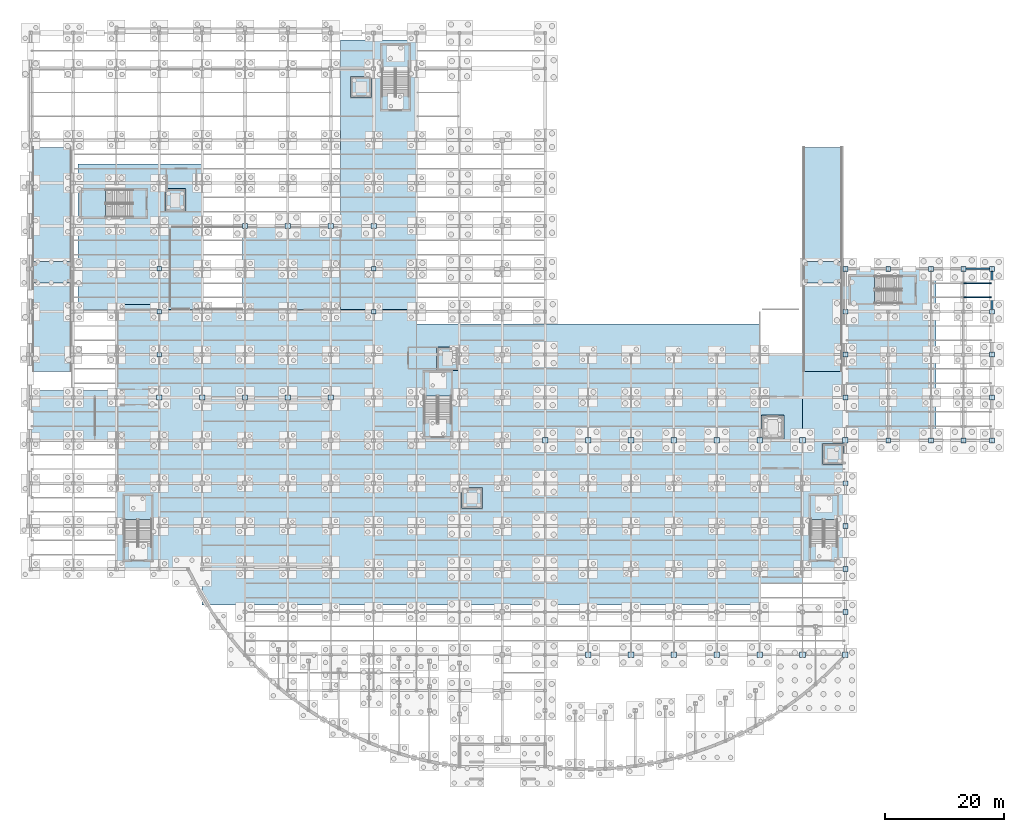
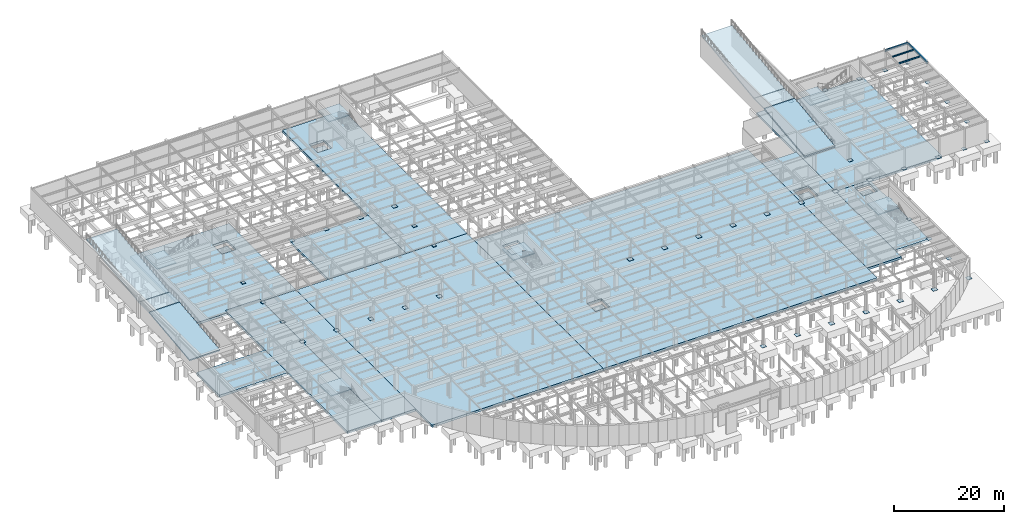
# One storey, part 41 of 64: 48 plates, 29 slabs, 4 beams, 6 elements without a shape of their own.
"""IFC4 building model written with IfcOpenShell, lengths in metres."""

import ifcopenshell
import ifcopenshell.guid

model = None  # the IFC model being written
_history = None  # IfcOwnerHistory: only IFC2X3 demands one
_inside = {}  # id of a spatial element -> (the spatial element, [elements in it])
_under = {}  # id of a project, library or spatial element -> (it, [spatial elements below it])
_declared = {}  # id of a project -> (the project, [libraries it declares])
_typed = {}  # id of a type object -> (the type object, [elements of that type])
_made_of = {}  # id of a material, layer set ... -> (it, [elements and type objects made of it])


def new_model(schema):
    """Start an empty IFC model of exactly this schema.

    Asked for "IFC4X3", IfcOpenShell would pick the latest addendum, in which some entities
    have other attributes; the version numbers below select the first issue.
    IFC2X3 requires an IfcOwnerHistory on every rooted entity: one is made here for all.
    """
    global model, _history
    if schema == "IFC4X3":
        model = ifcopenshell.file(schema_version=(4, 3, 0, 0))
    else:
        model = ifcopenshell.file(schema=schema)
    _inside.clear()
    _under.clear()
    _declared.clear()
    _typed.clear()
    _made_of.clear()
    _history = None
    if model.schema == "IFC2X3":
        org = make("IfcOrganization", Name="unknown")
        user = make(
            "IfcPersonAndOrganization",
            ThePerson=make("IfcPerson", FamilyName="unknown"),
            TheOrganization=org,
        )
        app = make(
            "IfcApplication",
            ApplicationDeveloper=org,
            Version="unknown",
            ApplicationFullName="unknown",
            ApplicationIdentifier="unknown",
        )
        _history = make(
            "IfcOwnerHistory",
            OwningUser=user,
            OwningApplication=app,
            ChangeAction="ADDED",
            CreationDate=0,
        )
    return model


def make(cls, **values):
    """One entity of the class cls with the attributes given. An attribute that is None is left unset."""
    return model.create_entity(
        cls, **{name: value for name, value in values.items() if value is not None}
    )


def rooted(cls, **values):
    """An entity with a GlobalId (a new one), such as an element, a storey or a relation."""
    return make(cls, GlobalId=ifcopenshell.guid.new(), OwnerHistory=_history, **values)


def si_unit(unit_type, name, prefix=None):
    """IfcSIUnit, for example si_unit("LENGTHUNIT", "METRE", prefix="MILLI")."""
    return make("IfcSIUnit", UnitType=unit_type, Prefix=prefix, Name=name)


def assignment(units):
    """IfcUnitAssignment: the units of a project."""
    return None if units is None else make("IfcUnitAssignment", Units=units)


def point(xyz):
    """IfcCartesianPoint."""
    return None if xyz is None else make("IfcCartesianPoint", Coordinates=xyz)


def direction(xyz):
    """IfcDirection."""
    return None if xyz is None else make("IfcDirection", DirectionRatios=xyz)


def frame(location, z_axis=None, x_axis=None):
    """IfcAxis2Placement3D, a coordinate frame: its origin and axes. An axis left out is left unset."""
    return make(
        "IfcAxis2Placement3D",
        Location=point(location),
        Axis=direction(z_axis),
        RefDirection=direction(x_axis),
    )


def frame_2d(location, x_axis=None):
    """IfcAxis2Placement2D, a coordinate frame in the plane: its origin and x axis."""
    return make(
        "IfcAxis2Placement2D", Location=point(location), RefDirection=direction(x_axis)
    )


def origin():
    """The frame at (0, 0, 0) with its axes left unset."""
    return frame((0.0, 0.0, 0.0))


def origin_2d():
    """The frame at (0, 0) in the plane with its x axis left unset."""
    return frame_2d((0.0, 0.0))


def place(relative_to, where):
    """IfcLocalPlacement: puts the frame where relative to a parent placement (None: the world)."""
    return make(
        "IfcLocalPlacement", PlacementRelTo=relative_to, RelativePlacement=where
    )


def context(
    kind, dimensions, precision=None, world=None, true_north=None, identifier=None
):
    """IfcGeometricRepresentationContext, for example the 3D "Model" context."""
    return make(
        "IfcGeometricRepresentationContext",
        ContextIdentifier=identifier,
        ContextType=kind,
        CoordinateSpaceDimension=dimensions,
        Precision=precision,
        WorldCoordinateSystem=world,
        TrueNorth=true_north,
    )


def subcontext(parent, identifier, kind, view, scale=None):
    """IfcGeometricRepresentationSubContext, for example "Body" below "Model"."""
    return make(
        "IfcGeometricRepresentationSubContext",
        ContextIdentifier=identifier,
        ContextType=kind,
        ParentContext=parent,
        TargetScale=scale,
        TargetView=view,
    )


def project(units=None, contexts=None):
    """IfcProject with its units and contexts."""
    return rooted(
        "IfcProject",
        Name="project",
        RepresentationContexts=contexts,
        UnitsInContext=assignment(units),
    )


def spatial(cls, under=None, at=None, **own):
    """A site, building, storey or space (cls), placed at a placement, below another one or the project."""
    s = rooted(cls, ObjectPlacement=at, **own)
    if under is not None:
        _under.setdefault(under.id(), (under, []))[1].append(s)
    return s


def polyline(points):
    """IfcPolyline through the points."""
    return make("IfcPolyline", Points=[point(p) for p in points])


def profile(cls, at=None, kind="AREA", **sizes):
    """A parametric profile (cls). Its sizes go by their IFC names, for example OverallWidth=200.0."""
    return make(cls, ProfileType=kind, Position=at, **sizes)


def rectangle(**sizes):
    """IfcRectangleProfileDef."""
    return profile("IfcRectangleProfileDef", **sizes)


def i_section(**sizes):
    """IfcIShapeProfileDef."""
    return profile("IfcIShapeProfileDef", **sizes)


def outline(outer, holes=None, kind="AREA"):
    """IfcArbitraryClosedProfileDef: a profile drawn as a closed curve; with holes, ...WithVoids."""
    if holes is None:
        return make("IfcArbitraryClosedProfileDef", ProfileType=kind, OuterCurve=outer)
    return make(
        "IfcArbitraryProfileDefWithVoids",
        ProfileType=kind,
        OuterCurve=outer,
        InnerCurves=holes,
    )


def extrude(swept, where, along, depth):
    """IfcExtrudedAreaSolid: the profile swept, set in the frame where, extruded along a direction by depth."""
    return make(
        "IfcExtrudedAreaSolid",
        SweptArea=swept,
        Position=where,
        ExtrudedDirection=direction(along),
        Depth=depth,
    )


def shape(context_of_items, identifier, shape_type, items):
    """IfcShapeRepresentation: the items that make up one representation, for example the "Body"."""
    return make(
        "IfcShapeRepresentation",
        ContextOfItems=context_of_items,
        RepresentationIdentifier=identifier,
        RepresentationType=shape_type,
        Items=items,
    )


def material(Name=None, Category=None):
    """IfcMaterial."""
    return make("IfcMaterial", Name=Name, Category=Category)


def layer(
    of_material, thickness, ventilated=None, Name=None, Category=None, Priority=None
):
    """IfcMaterialLayer: one layer of a wall or slab, of a material (None: an air gap)."""
    return make(
        "IfcMaterialLayer",
        Material=of_material,
        LayerThickness=thickness,
        IsVentilated=ventilated,
        Name=Name,
        Category=Category,
        Priority=Priority,
    )


def layer_set(layers, Name=None):
    """IfcMaterialLayerSet."""
    return make("IfcMaterialLayerSet", MaterialLayers=layers, LayerSetName=Name)


def material_profile(
    of_material, cross_section, Name=None, Category=None, Priority=None
):
    """IfcMaterialProfile: a cross section and its material."""
    return make(
        "IfcMaterialProfile",
        Name=Name,
        Material=of_material,
        Profile=cross_section,
        Priority=Priority,
        Category=Category,
    )


def profile_set(profiles, Name=None, composite=None):
    """IfcMaterialProfileSet."""
    return make(
        "IfcMaterialProfileSet",
        Name=Name,
        MaterialProfiles=profiles,
        CompositeProfile=composite,
    )


def made_of(thing, what):
    """Note that an element or type object is made of a material, layer set ...; save() writes the relation."""
    if what is not None:
        _made_of.setdefault(what.id(), (what, []))[1].append(thing)
    return thing


def type_object(cls, material=None, **own):
    """A type object (cls), such as IfcWallType, which elements share."""
    return made_of(rooted(cls, **own), material)


def element(
    cls,
    number,
    at=None,
    inside=None,
    cuts=None,
    type_object=None,
    material=None,
    context=None,
    identifier="Body",
    shape_type=None,
    held_by="IfcProductDefinitionShape",
    body=None,
    shapes=None,
    **own,
):
    """One element of the class cls, such as IfcWall. Its Tag is "e" and its number.

    at: its placement. inside: the storey or other place that contains it. cuts: it is an
    opening in that element (IfcRelVoidsElement). A single representation is given by context,
    identifier, shape_type and body (its items); several are given by shapes. held_by: the class
    of the entity that holds the representations. save() writes the other relations.
    """
    e = rooted(cls, Tag="e%d" % number, ObjectPlacement=at, **own)
    if body is not None:
        shapes = [shape(context, identifier, shape_type, body)]
    if shapes is not None:
        e.Representation = make(held_by, Representations=shapes)
    if inside is not None:
        _inside.setdefault(inside.id(), (inside, []))[1].append(e)
    if cuts is not None:
        rooted(
            "IfcRelVoidsElement", RelatingBuildingElement=cuts, RelatedOpeningElement=e
        )
    if type_object is not None:
        _typed.setdefault(type_object.id(), (type_object, []))[1].append(e)
    return made_of(e, material)


def aggregate(whole, parts):
    """IfcRelAggregates: a whole, such as a stair, and the parts it consists of."""
    return rooted("IfcRelAggregates", RelatingObject=whole, RelatedObjects=parts)


def save(model, path):
    """Write the relations noted so far, then the file.

    IfcRelAggregates (storeys below a building ...), IfcRelContainedInSpatialStructure (elements
    in a storey), IfcRelDefinesByType, IfcRelAssociatesMaterial and IfcRelDeclares: one each for
    every whole, place, type object, material and project.
    """
    for whole, parts in _under.values():
        aggregate(whole, parts)
    for where, things in _inside.values():
        rooted(
            "IfcRelContainedInSpatialStructure",
            RelatedElements=things,
            RelatingStructure=where,
        )
    for kind, things in _typed.values():
        rooted("IfcRelDefinesByType", RelatedObjects=things, RelatingType=kind)
    for what, things in _made_of.values():
        rooted("IfcRelAssociatesMaterial", RelatedObjects=things, RelatingMaterial=what)
    for by, libraries in _declared.values():
        rooted("IfcRelDeclares", RelatingContext=by, RelatedDefinitions=libraries)
    model.write(path)


model = new_model("IFC4")

# Units and contexts
model_context = context("Model", 3, precision=1e-05, world=origin(), true_north=direction((0.0, 1.0)))
body_context = subcontext(model_context, "Body", "Model", "MODEL_VIEW")
ifc_project = project(units=[si_unit("LENGTHUNIT", "METRE"), si_unit("AREAUNIT", "SQUARE_METRE"), si_unit("VOLUMEUNIT", "CUBIC_METRE"), si_unit("PLANEANGLEUNIT", "RADIAN"), si_unit("MASSUNIT", "GRAM", prefix="KILO")], contexts=[model_context])

# Site, building, storey
site_placement = place(None, origin())
site = spatial("IfcSite", under=ifc_project, at=site_placement, CompositionType="ELEMENT")
building_placement = place(site_placement, origin())
building = spatial("IfcBuilding", under=site, at=building_placement, Name="Solvadek Multi-Sports Hall", CompositionType="ELEMENT")
storey_placement = place(building_placement, frame((0.0, 0.0, -4.800048828125)))
storey = spatial("IfcBuildingStorey", under=building, at=storey_placement, Name="B1", CompositionType="ELEMENT", Elevation=-4.800048828125)

# Beams
ifc_material_1 = material(Name="Steel E350 (350 MPa)", Category="steel")
ifc_material_profile_1 = material_profile(ifc_material_1, i_section(OverallWidth=0.159912109375, OverallDepth=0.330078125, WebThickness=0.007568359375, FlangeThickness=0.011474609375, at=origin_2d()), Name="NPB 330")
ifc_profile_set_1 = profile_set([ifc_material_profile_1], Name="Steel E350 (350 MPa)")
beam_type_1 = type_object("IfcBeamType", Name="STR-JST-NPB330", PredefinedType="JOIST", material=ifc_profile_set_1)
for number, where, z_axis, x_axis, name in (
    (1, (156.695068359375, 66.0, 4.385009765625), (1.0, 0.0, 0.0), (0.0, 1.0, 0.0), "B1 Composite Joist J-02 #277"),
    (2, (156.695068359375, 68.39990234375, 4.385009765625), (1.0, 0.0, 0.0), (0.0, 1.0, 0.0), "B1 Composite Joist J-02 #278"),
):
    element("IfcBeam", number, at=place(storey_placement, frame(where, z_axis=z_axis, x_axis=x_axis)), inside=storey, type_object=beam_type_1, Name=name, PredefinedType="JOIST", context=body_context, shape_type="SweptSolid", body=[
        extrude(i_section(OverallWidth=0.159912109375, OverallDepth=0.330078125, WebThickness=0.007568359375, FlangeThickness=0.011474609375, at=origin_2d()), origin(), (0.0, 0.0, 1.0), 4.554931640625),
    ])
ifc_material_profile_2 = material_profile(ifc_material_1, i_section(OverallWidth=0.300048828125, OverallDepth=0.39990234375, WebThickness=0.013427734375, FlangeThickness=0.02392578125, at=origin_2d()), Name="WPB 400")
ifc_profile_set_2 = profile_set([ifc_material_profile_2], Name="Steel E350 (350 MPa)")
beam_type_2 = type_object("IfcBeamType", Name="STR-SPN-WPB400", PredefinedType="SPANDREL", material=ifc_profile_set_2)
beam_1_placement = place(storey_placement, frame((156.60009765625, 70.800048828125, 4.35009765625), z_axis=(1.0, 0.0, 0.0), x_axis=(0.0, 1.0, 0.0)))
element("IfcBeam", 3, at=beam_1_placement, inside=storey, type_object=beam_type_2, Name="B1 Girder SP-02 #192", PredefinedType="SPANDREL", context=body_context, shape_type="SweptSolid", body=[
    extrude(i_section(OverallWidth=0.300048828125, OverallDepth=0.39990234375, WebThickness=0.013427734375, FlangeThickness=0.02392578125, at=origin_2d()), origin(), (0.0, 0.0, 1.0), 4.7998046875),
])
beam_2_placement = place(storey_placement, frame((161.39990234375, 63.60009765625, 4.35009765625), z_axis=(0.0, 1.0, 0.0), x_axis=(-1.0, 0.0, 0.0)))
element("IfcBeam", 4, at=beam_2_placement, inside=storey, type_object=beam_type_2, Name="B1 Girder SP-02 #522", PredefinedType="SPANDREL", context=body_context, shape_type="SweptSolid", body=[
    extrude(i_section(OverallWidth=0.300048828125, OverallDepth=0.39990234375, WebThickness=0.013427734375, FlangeThickness=0.02392578125, at=origin_2d()), origin(), (0.0, 0.0, 1.0), 7.199951171875),
])

# Stair, slab
ifc_material_2 = material(Name="Concrete M35", Category="concrete")
stair_type = type_object("IfcStairType", Name="INT-STR-DOG220", PredefinedType="USERDEFINED", material=ifc_material_2)
stair_1_placement = place(storey_placement, origin())
stair_1 = element("IfcStair", 5, at=stair_1_placement, inside=storey, type_object=stair_type, Name="B1 Exit Stair Core ST-01 (SW Crescent)", ObjectType="TWO_RUN_STAIR", PredefinedType="USERDEFINED")
ifc_layer_1 = layer(ifc_material_2, 0.199951171875, Name="Concrete M35")
ifc_layer_set_1 = layer_set([ifc_layer_1], Name="Concrete M35")
slab_type_1 = type_object("IfcSlabType", Name="INT-LND-RC200", PredefinedType="LANDING", material=ifc_layer_set_1)
slab_1_placement = place(storey_placement, frame((0.0, 0.0, 2.199951171875)))
slab_1 = element("IfcSlab", 6, at=slab_1_placement, type_object=slab_type_1, Name="ST-01 landing 1", PredefinedType="LANDING", context=body_context, shape_type="SweptSolid", body=[
    extrude(outline(polyline([(20.300048828125, 28.75), (20.300048828125, 32.800048828125), (15.75, 32.800048828125), (15.75, 28.75), (20.300048828125, 28.75)])), origin(), (0.0, 0.0, 1.0), 0.2001953125),
])
aggregate(stair_1, [slab_1])

stair_2_placement = place(storey_placement, origin())
stair_2 = element("IfcStair", 7, at=stair_2_placement, inside=storey, type_object=stair_type, Name="B1 Exit Stair Core ST-02 (NW Track Headhouse)", ObjectType="TWO_RUN_STAIR", PredefinedType="USERDEFINED")
slab_2_placement = place(storey_placement, frame((0.0, 0.0, 2.199951171875)))
slab_2 = element("IfcSlab", 8, at=slab_2_placement, type_object=slab_type_1, Name="ST-02 landing 1", PredefinedType="LANDING", context=body_context, shape_type="SweptSolid", body=[
    extrude(outline(polyline([(12.550048828125, 84.050048828125), (8.5, 84.050048828125), (8.5, 79.5), (12.550048828125, 79.5), (12.550048828125, 84.050048828125)])), origin(), (0.0, 0.0, 1.0), 0.2001953125),
])
aggregate(stair_2, [slab_2])

stair_3_placement = place(storey_placement, origin())
stair_3 = element("IfcStair", 9, at=stair_3_placement, inside=storey, type_object=stair_type, Name="B1 Exit Stair Core ST-03 (North Avenue Podium)", ObjectType="TWO_RUN_STAIR", PredefinedType="USERDEFINED")
slab_3_placement = place(storey_placement, frame((0.0, 0.0, 2.199951171875)))
slab_3 = element("IfcSlab", 10, at=slab_3_placement, type_object=slab_type_1, Name="ST-03 landing 1", PredefinedType="LANDING", context=body_context, shape_type="SweptSolid", body=[
    extrude(outline(polyline([(63.550048828125, 104.35009765625), (63.550048828125, 108.39990234375), (59.0, 108.39990234375), (59.0, 104.35009765625), (63.550048828125, 104.35009765625)])), origin(), (0.0, 0.0, 1.0), 0.2001953125),
])
aggregate(stair_3, [slab_3])

stair_4_placement = place(storey_placement, origin())
stair_4 = element("IfcStair", 11, at=stair_4_placement, inside=storey, type_object=stair_type, Name="B1 Exit Stair Core ST-04 (Central Passage West)", ObjectType="TWO_RUN_STAIR", PredefinedType="USERDEFINED")
slab_4_placement = place(storey_placement, frame((0.0, 0.0, 2.199951171875)))
slab_4 = element("IfcSlab", 12, at=slab_4_placement, type_object=slab_type_1, Name="ST-04 landing 1", PredefinedType="LANDING", context=body_context, shape_type="SweptSolid", body=[
    extrude(outline(polyline([(70.64990234375, 49.449951171875), (70.64990234375, 53.5), (66.10009765625, 53.5), (66.10009765625, 49.449951171875), (70.64990234375, 49.449951171875)])), origin(), (0.0, 0.0, 1.0), 0.2001953125),
])
aggregate(stair_4, [slab_4])

stair_5_placement = place(storey_placement, origin())
stair_5 = element("IfcStair", 13, at=stair_5_placement, inside=storey, type_object=stair_type, Name="B1 Exit Stair Core ST-05 (SE Competition Hall)", ObjectType="TWO_RUN_STAIR", PredefinedType="USERDEFINED")
slab_5_placement = place(storey_placement, frame((0.0, 0.0, 2.199951171875)))
slab_5 = element("IfcSlab", 14, at=slab_5_placement, type_object=slab_type_1, Name="ST-05 landing 1", PredefinedType="LANDING", context=body_context, shape_type="SweptSolid", body=[
    extrude(outline(polyline([(135.449951171875, 28.75), (135.449951171875, 32.800048828125), (130.89990234375, 32.800048828125), (130.89990234375, 28.75), (135.449951171875, 28.75)])), origin(), (0.0, 0.0, 1.0), 0.2001953125),
])
aggregate(stair_5, [slab_5])

stair_6_placement = place(storey_placement, origin())
stair_6 = element("IfcStair", 15, at=stair_6_placement, inside=storey, type_object=stair_type, Name="B1 Exit Stair Core ST-06 (NE Climbing Pavilion)", ObjectType="TWO_RUN_STAIR", PredefinedType="USERDEFINED")
slab_6_placement = place(storey_placement, frame((0.0, 0.0, 2.199951171875)))
slab_6 = element("IfcSlab", 16, at=slab_6_placement, type_object=slab_type_1, Name="ST-06 landing 1", PredefinedType="LANDING", context=body_context, shape_type="SweptSolid", body=[
    extrude(outline(polyline([(141.64990234375, 69.550048828125), (137.60009765625, 69.550048828125), (137.60009765625, 65.0), (141.64990234375, 65.0), (141.64990234375, 69.550048828125)])), origin(), (0.0, 0.0, 1.0), 0.2001953125),
])
aggregate(stair_6, [slab_6])

# Plates
ifc_layer_2 = layer(ifc_material_1, 0.028076171875, Name="Steel E350 (350 MPa)")
ifc_layer_set_2 = layer_set([ifc_layer_2], Name="Steel E350 (350 MPa)")
plate_type_1 = type_object("IfcPlateType", Name="STR-PLT-BAS750", PredefinedType="USERDEFINED", material=ifc_layer_set_2)
for number, where, z_axis, x_axis, name in (
    (17, (21.60009765625, 56.39990234375, 0.0), (0.0, 0.0, 1.0), (1.0, 0.0, 0.0), "Column Base Plate #45"),
    (18, (21.60009765625, 63.60009765625, 0.0), (0.0, 0.0, 1.0), (1.0, 0.0, 0.0), "Column Base Plate #46"),
    (19, (21.60009765625, 70.800048828125, 0.0), (0.0, 0.0, 1.0), (1.0, 0.0, 0.0), "Column Base Plate #47"),
    (20, (57.60009765625, 63.60009765625, 0.0), (0.0, 0.0, 1.0), (1.0, 0.0, 0.0), "Column Base Plate #110"),
    (21, (57.60009765625, 70.800048828125, 0.0), (0.0, 0.0, 1.0), (1.0, 0.0, 0.0), "Column Base Plate #111"),
):
    element("IfcPlate", number, at=place(storey_placement, frame(where, z_axis=z_axis, x_axis=x_axis)), inside=storey, type_object=plate_type_1, Name=name, ObjectType="BASE_PLATE", PredefinedType="USERDEFINED", context=body_context, shape_type="SweptSolid", body=[
        extrude(rectangle(XDim=0.75, YDim=0.75, at=origin_2d()), origin(), (0.0, 0.0, 1.0), 0.028076171875),
    ])
ifc_layer_3 = layer(ifc_material_1, 0.030029296875, Name="Steel E350 (350 MPa)")
ifc_layer_set_3 = layer_set([ifc_layer_3], Name="Steel E350 (350 MPa)")
plate_type_2 = type_object("IfcPlateType", Name="STR-PLT-BAS820", PredefinedType="USERDEFINED", material=ifc_layer_set_3)
for number, where, z_axis, x_axis, name in (
    (22, (136.800048828125, 13.199951171875, 0.0), (0.0, 0.0, 1.0), (1.0, 0.0, 0.0), "Column Base Plate #230"),
    (23, (136.800048828125, 20.39990234375, 0.0), (0.0, 0.0, 1.0), (1.0, 0.0, 0.0), "Column Base Plate #231"),
    (24, (136.800048828125, 27.60009765625, 0.0), (0.0, 0.0, 1.0), (1.0, 0.0, 0.0), "Column Base Plate #232"),
    (25, (136.800048828125, 34.800048828125, 0.0), (0.0, 0.0, 1.0), (1.0, 0.0, 0.0), "Column Base Plate #233"),
    (26, (136.800048828125, 49.199951171875, 0.0), (0.0, 0.0, 1.0), (1.0, 0.0, 0.0), "Column Base Plate #235"),
    (27, (136.800048828125, 56.39990234375, 0.0), (0.0, 0.0, 1.0), (1.0, 0.0, 0.0), "Column Base Plate #236"),
    (28, (136.800048828125, 63.60009765625, 0.0), (0.0, 0.0, 1.0), (1.0, 0.0, 0.0), "Column Base Plate #237"),
    (29, (136.800048828125, 70.800048828125, 0.0), (0.0, 0.0, 1.0), (1.0, 0.0, 0.0), "Column Base Plate #238"),
    (30, (144.0, 42.0, 0.0), (0.0, 0.0, 1.0), (1.0, 0.0, 0.0), "Column Base Plate #239"),
    (31, (144.0, 70.800048828125, 0.0), (0.0, 0.0, 1.0), (1.0, 0.0, 0.0), "Column Base Plate #242"),
    (32, (151.199951171875, 42.0, 0.0), (0.0, 0.0, 1.0), (1.0, 0.0, 0.0), "Column Base Plate #243"),
    (33, (151.199951171875, 70.800048828125, 0.0), (0.0, 0.0, 1.0), (1.0, 0.0, 0.0), "Column Base Plate #246"),
    (34, (156.60009765625, 42.0, 0.0), (0.0, 0.0, 1.0), (1.0, 0.0, 0.0), "Column Base Plate #247"),
    (35, (156.60009765625, 70.800048828125, 0.0), (0.0, 0.0, 1.0), (1.0, 0.0, 0.0), "Column Base Plate #250"),
    (36, (161.39990234375, 42.0, 0.0), (0.0, 0.0, 1.0), (1.0, 0.0, 0.0), "Column Base Plate #251"),
    (37, (161.39990234375, 49.199951171875, 0.0), (0.0, 0.0, 1.0), (1.0, 0.0, 0.0), "Column Base Plate #252"),
    (38, (161.39990234375, 56.39990234375, 0.0), (0.0, 0.0, 1.0), (1.0, 0.0, 0.0), "Column Base Plate #253"),
    (39, (161.39990234375, 63.60009765625, 0.0), (0.0, 0.0, 1.0), (1.0, 0.0, 0.0), "Column Base Plate #254"),
    (40, (161.39990234375, 70.800048828125, 0.0), (0.0, 0.0, 1.0), (1.0, 0.0, 0.0), "Column Base Plate #255"),
):
    element("IfcPlate", number, at=place(storey_placement, frame(where, z_axis=z_axis, x_axis=x_axis)), inside=storey, type_object=plate_type_2, Name=name, ObjectType="BASE_PLATE", PredefinedType="USERDEFINED", context=body_context, shape_type="SweptSolid", body=[
        extrude(rectangle(XDim=0.820068359375, YDim=0.820068359375, at=origin_2d()), origin(), (0.0, 0.0, 1.0), 0.030029296875),
    ])
ifc_layer_4 = layer(ifc_material_1, 0.031982421875, Name="Steel E350 (350 MPa)")
ifc_layer_set_4 = layer_set([ifc_layer_4], Name="Steel E350 (350 MPa)")
plate_type_3 = type_object("IfcPlateType", Name="STR-PLT-BAS900", PredefinedType="USERDEFINED", material=ifc_layer_set_4)
for number, where, z_axis, x_axis, name in (
    (41, (21.60009765625, 49.199951171875, 0.0), (0.0, 0.0, 1.0), (1.0, 0.0, 0.0), "Column Base Plate #44"),
    (42, (28.800048828125, 49.199951171875, 0.0), (0.0, 0.0, 1.0), (1.0, 0.0, 0.0), "Column Base Plate #54"),
    (43, (36.0, 49.199951171875, 0.0), (0.0, 0.0, 1.0), (1.0, 0.0, 0.0), "Column Base Plate #66"),
    (44, (36.0, 78.0, 0.0), (0.0, 0.0, 1.0), (1.0, 0.0, 0.0), "Column Base Plate #70"),
    (45, (43.199951171875, 49.199951171875, 0.0), (0.0, 0.0, 1.0), (1.0, 0.0, 0.0), "Column Base Plate #79"),
    (46, (43.199951171875, 78.0, 0.0), (0.0, 0.0, 1.0), (1.0, 0.0, 0.0), "Column Base Plate #83"),
    (47, (50.39990234375, 49.199951171875, 0.0), (0.0, 0.0, 1.0), (1.0, 0.0, 0.0), "Column Base Plate #92"),
    (48, (50.39990234375, 78.0, 0.0), (0.0, 0.0, 1.0), (1.0, 0.0, 0.0), "Column Base Plate #96"),
    (49, (57.60009765625, 78.0, 0.0), (0.0, 0.0, 1.0), (1.0, 0.0, 0.0), "Column Base Plate #112"),
):
    element("IfcPlate", number, at=place(storey_placement, frame(where, z_axis=z_axis, x_axis=x_axis)), inside=storey, type_object=plate_type_3, Name=name, ObjectType="BASE_PLATE", PredefinedType="USERDEFINED", context=body_context, shape_type="SweptSolid", body=[
        extrude(rectangle(XDim=0.89990234375, YDim=0.89990234375, at=origin_2d()), origin(), (0.0, 0.0, 1.0), 0.031982421875),
    ])
ifc_layer_5 = layer(ifc_material_1, 0.031982421875, Name="Steel E350 (350 MPa)")
ifc_layer_set_5 = layer_set([ifc_layer_5], Name="Steel E350 (350 MPa)")
plate_type_4 = type_object("IfcPlateType", Name="STR-PLT-BAS950", PredefinedType="USERDEFINED", material=ifc_layer_set_5)
for number, where, z_axis, x_axis, name in (
    (50, (86.39990234375, 42.0, 0.0), (0.0, 0.0, 1.0), (1.0, 0.0, 0.0), "Column Base Plate #172"),
    (51, (93.60009765625, 6.0, 0.0), (0.0, 0.0, 1.0), (1.0, 0.0, 0.0), "Column Base Plate #191"),
    (52, (93.60009765625, 42.0, 0.0), (0.0, 0.0, 1.0), (1.0, 0.0, 0.0), "Column Base Plate #196"),
    (53, (100.800048828125, 6.0, 0.0), (0.0, 0.0, 1.0), (1.0, 0.0, 0.0), "Column Base Plate #199"),
    (54, (100.800048828125, 42.0, 0.0), (0.0, 0.0, 1.0), (1.0, 0.0, 0.0), "Column Base Plate #202"),
    (55, (108.0, 6.0, 0.0), (0.0, 0.0, 1.0), (1.0, 0.0, 0.0), "Column Base Plate #205"),
    (56, (108.0, 42.0, 0.0), (0.0, 0.0, 1.0), (1.0, 0.0, 0.0), "Column Base Plate #208"),
    (57, (115.199951171875, 6.0, 0.0), (0.0, 0.0, 1.0), (1.0, 0.0, 0.0), "Column Base Plate #211"),
    (58, (115.199951171875, 42.0, 0.0), (0.0, 0.0, 1.0), (1.0, 0.0, 0.0), "Column Base Plate #214"),
    (59, (122.39990234375, 6.0, 0.0), (0.0, 0.0, 1.0), (1.0, 0.0, 0.0), "Column Base Plate #217"),
    (60, (122.39990234375, 42.0, 0.0), (0.0, 0.0, 1.0), (1.0, 0.0, 0.0), "Column Base Plate #220"),
    (61, (129.60009765625, 6.0, 0.0), (0.0, 0.0, 1.0), (1.0, 0.0, 0.0), "Column Base Plate #223"),
    (62, (129.60009765625, 42.0, 0.0), (0.0, 0.0, 1.0), (1.0, 0.0, 0.0), "Column Base Plate #228"),
    (63, (136.800048828125, 6.0, 0.0), (0.0, 0.0, 1.0), (1.0, 0.0, 0.0), "Column Base Plate #229"),
    (64, (136.800048828125, 42.0, 0.0), (0.0, 0.0, 1.0), (1.0, 0.0, 0.0), "Column Base Plate #234"),
):
    element("IfcPlate", number, at=place(storey_placement, frame(where, z_axis=z_axis, x_axis=x_axis)), inside=storey, type_object=plate_type_4, Name=name, ObjectType="BASE_PLATE", PredefinedType="USERDEFINED", context=body_context, shape_type="SweptSolid", body=[
        extrude(rectangle(XDim=0.949951171875, YDim=0.949951171875, at=origin_2d()), origin(), (0.0, 0.0, 1.0), 0.031982421875),
    ])

# Slabs
ifc_layer_6 = layer(ifc_material_2, 0.219970703125, Name="Concrete M35")
ifc_layer_set_6 = layer_set([ifc_layer_6], Name="Concrete M35")
slab_type_2 = type_object("IfcSlabType", Name="STR-SLB-APP220", PredefinedType="USERDEFINED", material=ifc_layer_set_6)
slab_7_placement = place(storey_placement, frame((0.0, 0.0, 2.1201171875)))
element("IfcSlab", 65, at=slab_7_placement, inside=storey, type_object=slab_type_2, Name="West Car Park Vehicle Ramp VR-01 Structural Mid Landing Slab", ObjectType="APPROACH_SLAB", PredefinedType="USERDEFINED", context=body_context, shape_type="SweptSolid", body=[
    extrude(outline(polyline([(0.39990234375, 68.39990234375), (6.800048828125, 68.39990234375), (6.800048828125, 72.0), (0.39990234375, 72.0), (0.39990234375, 68.39990234375)])), origin(), (0.0, 0.0, 1.0), 0.280029296875),
])
slab_8_placement = place(storey_placement, frame((0.39990234375, 53.60009765625, 0.699951171875), z_axis=(0.0, -0.114509270049, 0.993422179676), x_axis=(1.0, 0.0, 0.0)))
element("IfcSlab", 66, at=slab_8_placement, inside=storey, type_object=slab_type_2, Name="West Car Park Vehicle Ramp VR-01 Structural Ramp Slab F1", ObjectType="APPROACH_SLAB", PredefinedType="USERDEFINED", context=body_context, shape_type="SweptSolid", body=[
    extrude(outline(polyline([(0.0, 0.0), (6.400146484375, 0.0), (6.400146484375, 14.847665274400786), (0.0, 14.847665274400786), (0.0, 0.0)])), origin(), (0.0, 0.0, -1.0), 0.280029296875),
])
slab_9_placement = place(storey_placement, frame((0.39990234375, 72.050048828125, 2.400146484375), z_axis=(0.0, -0.124670010135, 0.992198260719), x_axis=(1.0, 0.0, 0.0)))
element("IfcSlab", 67, at=slab_9_placement, inside=storey, type_object=slab_type_2, Name="West Car Park Vehicle Ramp VR-01 Structural Ramp Slab F2", ObjectType="APPROACH_SLAB", PredefinedType="USERDEFINED", context=body_context, shape_type="SweptSolid", body=[
    extrude(outline(polyline([(0.0, 0.0), (6.400146484375, 0.0), (6.400146484375, 19.250037287700753), (0.0, 19.250037287700753), (0.0, 0.0)])), origin(), (0.0, 0.0, -1.0), 0.280029296875),
])
slab_10_placement = place(storey_placement, frame((0.0, 0.0, 2.1201171875)))
element("IfcSlab", 68, at=slab_10_placement, inside=storey, type_object=slab_type_2, Name="East Car Park Vehicle Ramp VR-02 Structural Mid Landing Slab", ObjectType="APPROACH_SLAB", PredefinedType="USERDEFINED", context=body_context, shape_type="SweptSolid", body=[
    extrude(outline(polyline([(129.800048828125, 68.39990234375), (136.199951171875, 68.39990234375), (136.199951171875, 72.0), (129.800048828125, 72.0), (129.800048828125, 68.39990234375)])), origin(), (0.0, 0.0, 1.0), 0.280029296875),
])
slab_11_placement = place(storey_placement, frame((129.800048828125, 53.60009765625, 0.699951171875), z_axis=(0.0, -0.114509270049, 0.993422179676), x_axis=(1.0, 0.0, 0.0)))
element("IfcSlab", 69, at=slab_11_placement, inside=storey, type_object=slab_type_2, Name="East Car Park Vehicle Ramp VR-02 Structural Ramp Slab F1", ObjectType="APPROACH_SLAB", PredefinedType="USERDEFINED", context=body_context, shape_type="SweptSolid", body=[
    extrude(outline(polyline([(0.0, 0.0), (6.39990234375, 0.0), (6.39990234375, 14.847665274400788), (0.0, 14.847665274400788), (0.0, 0.0)])), origin(), (0.0, 0.0, -1.0), 0.280029296875),
])
slab_12_placement = place(storey_placement, frame((129.800048828125, 72.050048828125, 2.400146484375), z_axis=(0.0, -0.124670010135, 0.992198260719), x_axis=(1.0, 0.0, 0.0)))
element("IfcSlab", 70, at=slab_12_placement, inside=storey, type_object=slab_type_2, Name="East Car Park Vehicle Ramp VR-02 Structural Ramp Slab F2", ObjectType="APPROACH_SLAB", PredefinedType="USERDEFINED", context=body_context, shape_type="SweptSolid", body=[
    extrude(outline(polyline([(0.0, 0.0), (6.39990234375, 0.0), (6.39990234375, 19.250037287700756), (0.0, 19.250037287700756), (0.0, 0.0)])), origin(), (0.0, 0.0, -1.0), 0.280029296875),
])
ifc_layer_7 = layer(ifc_material_2, 0.5, Name="Concrete M35")
ifc_layer_set_7 = layer_set([ifc_layer_7], Name="Concrete M35")
slab_type_3 = type_object("IfcSlabType", Name="STR-SLB-BASE500", PredefinedType="BASESLAB", material=ifc_layer_set_7)
slab_13_placement = place(storey_placement, frame((0.0, 0.0, -0.5)))
element("IfcSlab", 71, at=slab_13_placement, inside=storey, type_object=slab_type_3, Name="B1 Basement Base Slab #1", PredefinedType="BASESLAB", context=body_context, shape_type="SweptSolid", body=[
    extrude(outline(polyline([(14.39990234375, 20.39990234375), (14.39990234375, 64.800048828125), (21.60009765625, 64.800048828125), (21.60009765625, 20.39990234375), (14.39990234375, 20.39990234375)])), origin(), (0.0, 0.0, 1.0), 0.5),
])
slab_14_placement = place(storey_placement, frame((0.0, 0.0, -0.5)))
element("IfcSlab", 72, at=slab_14_placement, inside=storey, type_object=slab_type_3, Name="B1 Basement Base Slab #2", PredefinedType="BASESLAB", context=body_context, shape_type="SweptSolid", body=[
    extrude(outline(polyline([(21.60009765625, 64.0), (28.800048828125, 64.0), (28.800048828125, 20.39990234375), (21.60009765625, 20.39990234375), (21.60009765625, 64.0)])), origin(), (0.0, 0.0, 1.0), 0.5),
])
slab_15_placement = place(storey_placement, frame((0.0, 0.0, -0.5)))
element("IfcSlab", 73, at=slab_15_placement, inside=storey, type_object=slab_type_3, Name="B1 Basement Base Slab #3", PredefinedType="BASESLAB", context=body_context, shape_type="SweptSolid", body=[
    extrude(outline(polyline([(28.800048828125, 20.39990234375), (28.800048828125, 64.0), (64.800048828125, 64.0), (64.800048828125, 14.39990234375), (28.800048828125, 14.39990234375), (28.800048828125, 20.39990234375)])), origin(), (0.0, 0.0, 1.0), 0.5),
])
slab_16_placement = place(storey_placement, frame((0.0, 0.0, -0.5)))
element("IfcSlab", 74, at=slab_16_placement, inside=storey, type_object=slab_type_3, Name="B1 Basement Base Slab #4", PredefinedType="BASESLAB", context=body_context, shape_type="SweptSolid", body=[
    extrude(outline(polyline([(64.800048828125, 61.5), (122.39990234375, 61.5), (122.39990234375, 14.39990234375), (64.800048828125, 14.39990234375), (64.800048828125, 61.5)]), holes=[polyline([(75.60009765625, 30.800048828125), (75.60009765625, 33.800048828125), (72.60009765625, 33.800048828125), (72.60009765625, 30.800048828125), (75.60009765625, 30.800048828125)]), polyline([(71.60009765625, 54.0), (71.60009765625, 57.39990234375), (68.39990234375, 57.39990234375), (68.39990234375, 54.0), (71.60009765625, 54.0)])]), origin(), (0.0, 0.0, 1.0), 0.5),
])
slab_17_placement = place(storey_placement, frame((0.0, 0.0, -0.5)))
element("IfcSlab", 75, at=slab_17_placement, inside=storey, type_object=slab_type_3, Name="B1 Basement Base Slab #5", PredefinedType="BASESLAB", context=body_context, shape_type="SweptSolid", body=[
    extrude(outline(polyline([(122.39990234375, 56.39990234375), (129.60009765625, 56.39990234375), (129.60009765625, 18.0), (122.39990234375, 18.0), (122.39990234375, 56.39990234375)]), holes=[polyline([(126.199951171875, 42.39990234375), (126.199951171875, 46.0), (123.0, 46.0), (123.0, 42.39990234375), (126.199951171875, 42.39990234375)])]), origin(), (0.0, 0.0, 1.0), 0.5),
])
slab_18_placement = place(storey_placement, frame((0.0, 0.0, -0.5)))
element("IfcSlab", 76, at=slab_18_placement, inside=storey, type_object=slab_type_3, Name="B1 Basement Base Slab #6", PredefinedType="BASESLAB", context=body_context, shape_type="SweptSolid", body=[
    extrude(outline(polyline([(129.60009765625, 42.0), (136.800048828125, 42.0), (136.800048828125, 20.39990234375), (129.60009765625, 20.39990234375), (129.60009765625, 42.0)]), holes=[polyline([(136.199951171875, 38.199951171875), (136.199951171875, 41.199951171875), (133.199951171875, 41.199951171875), (133.199951171875, 38.199951171875), (136.199951171875, 38.199951171875)])]), origin(), (0.0, 0.0, 1.0), 0.5),
])
slab_19_placement = place(storey_placement, frame((0.0, 0.0, -0.5)))
element("IfcSlab", 77, at=slab_19_placement, inside=storey, type_object=slab_type_3, Name="B1 Basement Base Slab #7", PredefinedType="BASESLAB", context=body_context, shape_type="SweptSolid", body=[
    extrude(outline(polyline([(129.60009765625, 56.39990234375), (129.60009765625, 70.800048828125), (152.0, 70.800048828125), (152.0, 42.0), (136.800048828125, 42.0), (129.60009765625, 42.0), (129.60009765625, 56.39990234375)])), origin(), (0.0, 0.0, 1.0), 0.5),
])
slab_20_placement = place(storey_placement, frame((0.0, 0.0, -0.5)))
element("IfcSlab", 78, at=slab_20_placement, inside=storey, type_object=slab_type_3, Name="B1 Basement Base Slab #8", PredefinedType="BASESLAB", context=body_context, shape_type="SweptSolid", body=[
    extrude(outline(polyline([(0.0, 50.39990234375), (14.39990234375, 50.39990234375), (14.39990234375, 42.0), (0.0, 42.0), (0.0, 50.39990234375)])), origin(), (0.0, 0.0, 1.0), 0.5),
])
slab_21_placement = place(storey_placement, frame((0.0, 0.0, -0.5)))
element("IfcSlab", 79, at=slab_21_placement, inside=storey, type_object=slab_type_3, Name="B1 Basement Base Slab #9", PredefinedType="BASESLAB", context=body_context, shape_type="SweptSolid", body=[
    extrude(outline(polyline([(8.0, 88.39990234375), (28.800048828125, 88.39990234375), (28.800048828125, 64.0), (21.60009765625, 64.0), (21.60009765625, 64.800048828125), (14.39990234375, 64.800048828125), (14.39990234375, 64.0), (8.0, 64.0), (8.0, 88.39990234375)]), holes=[polyline([(25.800048828125, 80.60009765625), (25.800048828125, 84.0), (22.800048828125, 84.0), (22.800048828125, 80.60009765625), (25.800048828125, 80.60009765625)])]), origin(), (0.0, 0.0, 1.0), 0.5),
])
slab_22_placement = place(storey_placement, frame((0.0, 0.0, -0.5)))
element("IfcSlab", 80, at=slab_22_placement, inside=storey, type_object=slab_type_3, Name="B1 Basement Base Slab #10", PredefinedType="BASESLAB", context=body_context, shape_type="SweptSolid", body=[
    extrude(outline(polyline([(35.60009765625, 78.0), (52.0, 78.0), (52.0, 64.0), (35.60009765625, 64.0), (35.60009765625, 78.0)])), origin(), (0.0, 0.0, 1.0), 0.5),
])
slab_23_placement = place(storey_placement, frame((0.0, 0.0, -0.5)))
element("IfcSlab", 81, at=slab_23_placement, inside=storey, type_object=slab_type_3, Name="B1 Basement Base Slab #11", PredefinedType="BASESLAB", context=body_context, shape_type="SweptSolid", body=[
    extrude(outline(polyline([(52.0, 78.0), (52.0, 109.199951171875), (64.800048828125, 109.199951171875), (64.800048828125, 64.0), (52.0, 64.0), (52.0, 78.0)]), holes=[polyline([(57.0, 99.800048828125), (57.0, 102.800048828125), (54.0, 102.800048828125), (54.0, 99.800048828125), (57.0, 99.800048828125)])]), origin(), (0.0, 0.0, 1.0), 0.5),
])
ifc_material_3 = material(Name="Concrete M40", Category="concrete")
ifc_layer_8 = layer(ifc_material_3, 0.35009765625, Name="Concrete M40")
ifc_layer_set_8 = layer_set([ifc_layer_8], Name="Concrete M40")
slab_type_4 = type_object("IfcSlabType", Name="STR-SLB-PIT350", PredefinedType="BASESLAB", material=ifc_layer_set_8)
slab_24_placement = place(storey_placement, frame((0.0, 0.0, -1.849853515625)))
element("IfcSlab", 82, at=slab_24_placement, inside=storey, type_object=slab_type_4, Name="B1 Lift Pit Base LF-01 #12", PredefinedType="BASESLAB", context=body_context, shape_type="SweptSolid", body=[
    extrude(outline(polyline([(22.550048828125, 80.35009765625), (22.550048828125, 84.25), (26.050048828125, 84.25), (26.050048828125, 80.35009765625), (22.550048828125, 80.35009765625)])), origin(), (0.0, 0.0, 1.0), 0.349853515625),
])
slab_25_placement = place(storey_placement, frame((0.0, 0.0, -1.849853515625)))
element("IfcSlab", 83, at=slab_25_placement, inside=storey, type_object=slab_type_4, Name="B1 Lift Pit Base LF-02 #13", PredefinedType="BASESLAB", context=body_context, shape_type="SweptSolid", body=[
    extrude(outline(polyline([(68.14990234375, 57.64990234375), (71.85009765625, 57.64990234375), (71.85009765625, 53.75), (68.14990234375, 53.75), (68.14990234375, 57.64990234375)])), origin(), (0.0, 0.0, 1.0), 0.349853515625),
])
slab_26_placement = place(storey_placement, frame((0.0, 0.0, -1.849853515625)))
element("IfcSlab", 84, at=slab_26_placement, inside=storey, type_object=slab_type_4, Name="B1 Lift Pit Base LP-01 #14", PredefinedType="BASESLAB", context=body_context, shape_type="SweptSolid", body=[
    extrude(outline(polyline([(53.75, 103.050048828125), (57.25, 103.050048828125), (57.25, 99.550048828125), (53.75, 99.550048828125), (53.75, 103.050048828125)])), origin(), (0.0, 0.0, 1.0), 0.349853515625),
])
slab_27_placement = place(storey_placement, frame((0.0, 0.0, -1.849853515625)))
element("IfcSlab", 85, at=slab_27_placement, inside=storey, type_object=slab_type_4, Name="B1 Lift Pit Base LP-02 #15", PredefinedType="BASESLAB", context=body_context, shape_type="SweptSolid", body=[
    extrude(outline(polyline([(72.35009765625, 34.050048828125), (75.85009765625, 34.050048828125), (75.85009765625, 30.550048828125), (72.35009765625, 30.550048828125), (72.35009765625, 34.050048828125)])), origin(), (0.0, 0.0, 1.0), 0.349853515625),
])
slab_28_placement = place(storey_placement, frame((0.0, 0.0, -1.849853515625)))
element("IfcSlab", 86, at=slab_28_placement, inside=storey, type_object=slab_type_4, Name="B1 Lift Pit Base LP-03 #16", PredefinedType="BASESLAB", context=body_context, shape_type="SweptSolid", body=[
    extrude(outline(polyline([(132.949951171875, 41.449951171875), (136.449951171875, 41.449951171875), (136.449951171875, 37.949951171875), (132.949951171875, 37.949951171875), (132.949951171875, 41.449951171875)])), origin(), (0.0, 0.0, 1.0), 0.349853515625),
])
slab_29_placement = place(storey_placement, frame((0.0, 0.0, -1.849853515625)))
element("IfcSlab", 87, at=slab_29_placement, inside=storey, type_object=slab_type_4, Name="B1 Lift Pit Base LG-01 #17", PredefinedType="BASESLAB", context=body_context, shape_type="SweptSolid", body=[
    extrude(outline(polyline([(122.75, 46.25), (126.449951171875, 46.25), (126.449951171875, 42.14990234375), (122.75, 42.14990234375), (122.75, 46.25)])), origin(), (0.0, 0.0, 1.0), 0.349853515625),
])

save(model, "model.ifc")
